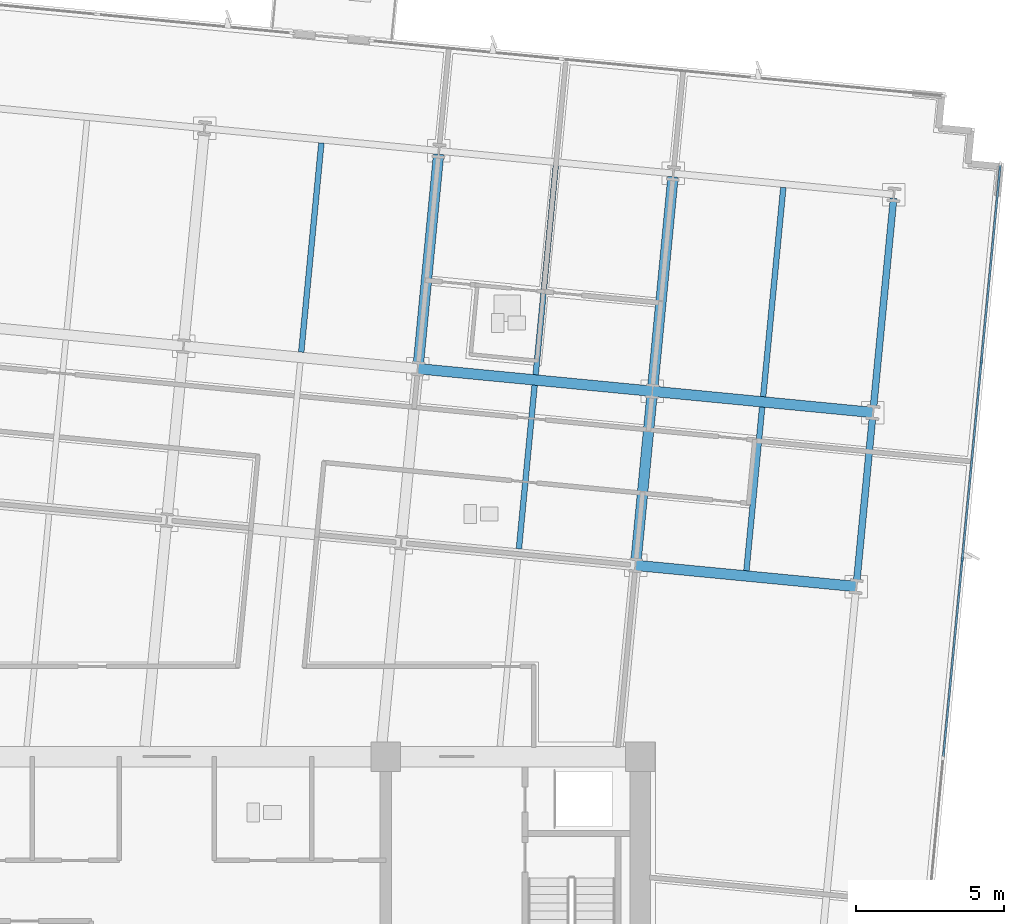
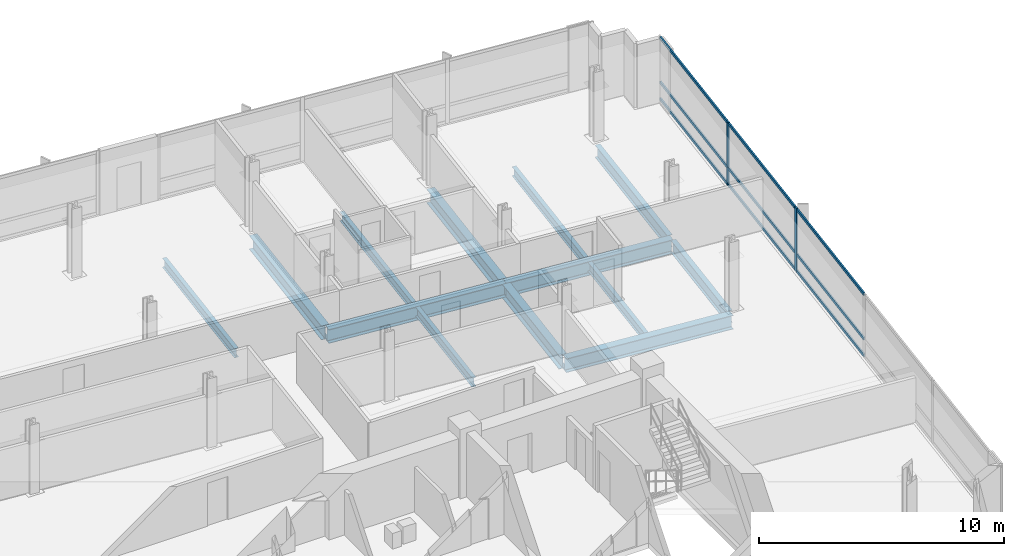
# One storey, part 6 of 16: 13 beams, 11 members, 1 element without a shape of its own.
"""IFC4 building model written with IfcOpenShell, lengths in metres."""

from ifc_helpers import new_model, si_unit, direction, frame, origin, origin_2d, place, context, subcontext, project, spatial, rectangle, i_section, extrude, material, material_profile, profile_set, type_object, element, aggregate, save


model = new_model("IFC4")

# Units and contexts
model_context = context("Model", 3, precision=1e-05, world=origin(), true_north=direction((0.0, 1.0)))
body_context = subcontext(model_context, "Body", "Model", "MODEL_VIEW")
ifc_project = project(units=[si_unit("LENGTHUNIT", "METRE"), si_unit("AREAUNIT", "SQUARE_METRE"), si_unit("VOLUMEUNIT", "CUBIC_METRE"), si_unit("PLANEANGLEUNIT", "RADIAN"), si_unit("MASSUNIT", "GRAM", prefix="KILO")], contexts=[model_context])

# Site, building, storey
site_placement = place(None, origin())
site = spatial("IfcSite", under=ifc_project, at=site_placement, CompositionType="ELEMENT")
building_placement = place(site_placement, origin())
building = spatial("IfcBuilding", under=site, at=building_placement, Name="Solmavex Isthmus Hotel", CompositionType="ELEMENT")
storey_placement = place(building_placement, frame((0.0, 0.0, 166.949951171875)))
storey = spatial("IfcBuildingStorey", under=building, at=storey_placement, Name="L45", CompositionType="ELEMENT", Elevation=166.949951171875)

# Beams
ifc_material_1 = material(Name="Steel ASTM A992 Grade 50", Category="steel")
ifc_material_profile_1 = material_profile(ifc_material_1, i_section(OverallWidth=0.354736328125, OverallDepth=0.695556640625, WebThickness=0.015380859375, FlangeThickness=0.02490234375, FilletRadius=0.017822265625, at=origin_2d()), Name="W27X146")
ifc_profile_set_1 = profile_set([ifc_material_profile_1], Name="Steel ASTM A992 Grade 50")
beam_type_1 = type_object("IfcBeamType", Name="BM-BG-W27X146", PredefinedType="BEAM", material=ifc_profile_set_1)
beam_1_placement = place(storey_placement, frame((15.840087890625, 3.96533203125, -0.607666015625), z_axis=(0.995394980007, -0.095858404835, 0.0), x_axis=(0.095858404835, 0.995394980007, 0.0)))
element("IfcBeam", 1, at=beam_1_placement, inside=storey, type_object=beam_type_1, Name="Floor Girder L45-UG08", PredefinedType="BEAM", context=body_context, shape_type="SweptSolid", body=[
    extrude(i_section(OverallWidth=0.354736328125, OverallDepth=0.695556640625, WebThickness=0.015380859375, FlangeThickness=0.02490234375, FilletRadius=0.017822265625, at=origin_2d()), origin(), (0.0, 0.0, 1.0), 7.48779296875),
])
beam_2_placement = place(storey_placement, frame((8.48681640625, 10.608642578125, -0.607666015625), z_axis=(0.995394512348, -0.095863260885, 0.0), x_axis=(0.095863260885, 0.995394512348, 0.0)))
element("IfcBeam", 2, at=beam_2_placement, inside=storey, type_object=beam_type_1, Name="Floor Girder L45-UG13", PredefinedType="BEAM", context=body_context, shape_type="SweptSolid", body=[
    extrude(i_section(OverallWidth=0.354736328125, OverallDepth=0.695556640625, WebThickness=0.015380859375, FlangeThickness=0.02490234375, FilletRadius=0.017822265625, at=origin_2d()), origin(), (0.0, 0.0, 1.0), 7.9560546875),
])
beam_3_placement = place(storey_placement, frame((16.40625, 9.845947265625, -0.607666015625), z_axis=(0.995398389938, -0.095822989454, 0.0), x_axis=(0.095822989454, 0.995398389938, 0.0)))
element("IfcBeam", 3, at=beam_3_placement, inside=storey, type_object=beam_type_1, Name="Floor Girder L45-UG14", PredefinedType="BEAM", context=body_context, shape_type="SweptSolid", body=[
    extrude(i_section(OverallWidth=0.354736328125, OverallDepth=0.695556640625, WebThickness=0.015380859375, FlangeThickness=0.02490234375, FilletRadius=0.017822265625, at=origin_2d()), origin(), (0.0, 0.0, 1.0), 7.488037109375),
])
beam_4_placement = place(storey_placement, frame((8.50390625, 10.78515625, -0.607666015625), z_axis=(0.095842805175, 0.99539648216, 0.0), x_axis=(-0.99539648216, 0.095842805175, 0.0)))
element("IfcBeam", 4, at=beam_4_placement, inside=storey, type_object=beam_type_1, Name="Floor Beam L45-VG35", PredefinedType="BEAM", context=body_context, shape_type="SweptSolid", body=[
    extrude(i_section(OverallWidth=0.354736328125, OverallDepth=0.695556640625, WebThickness=0.015380859375, FlangeThickness=0.02490234375, FilletRadius=0.017822265625, at=origin_2d()), origin(), (0.0, 0.0, 1.0), 7.099365234375),
])
beam_5_placement = place(storey_placement, frame((15.85693359375, 4.141845703125, -0.607666015625), z_axis=(0.095842252862, 0.99539653534, 0.0), x_axis=(-0.99539653534, 0.095842252862, 0.0)))
element("IfcBeam", 5, at=beam_5_placement, inside=storey, type_object=beam_type_1, Name="Floor Beam L45-VG37", PredefinedType="BEAM", context=body_context, shape_type="SweptSolid", body=[
    extrude(i_section(OverallWidth=0.354736328125, OverallDepth=0.695556640625, WebThickness=0.015380859375, FlangeThickness=0.02490234375, FilletRadius=0.017822265625, at=origin_2d()), origin(), (0.0, 0.0, 1.0), 5.55322265625),
])
beam_6_placement = place(storey_placement, frame((16.42333984375, 10.022705078125, -0.607666015625), z_axis=(0.095842805175, 0.99539648216, 0.0), x_axis=(-0.99539648216, 0.095842805175, 0.0)))
element("IfcBeam", 6, at=beam_6_placement, inside=storey, type_object=beam_type_1, Name="Floor Beam L45-VG38", PredefinedType="BEAM", context=body_context, shape_type="SweptSolid", body=[
    extrude(i_section(OverallWidth=0.354736328125, OverallDepth=0.695556640625, WebThickness=0.015380859375, FlangeThickness=0.02490234375, FilletRadius=0.017822265625, at=origin_2d()), origin(), (0.0, 0.0, 1.0), 7.099365234375),
])
ifc_material_profile_2 = material_profile(ifc_material_1, i_section(OverallWidth=0.1904296875, OverallDepth=0.456787109375, WebThickness=0.009033203125, FlangeThickness=0.014404296875, FilletRadius=0.0126953125, at=origin_2d()), Name="W18X50")
ifc_profile_set_2 = profile_set([ifc_material_profile_2], Name="Steel ASTM A992 Grade 50")
beam_type_2 = type_object("IfcBeamType", Name="BM-BJ-W18X50", PredefinedType="JOIST", material=ifc_profile_set_2)
beam_7_placement = place(storey_placement, frame((4.544189453125, 11.16650390625, -0.48828125), z_axis=(0.095842805175, 0.99539648216, 0.0), x_axis=(-0.99539648216, 0.095842805175, 0.0)))
element("IfcBeam", 7, at=beam_7_placement, inside=storey, type_object=beam_type_2, Name="Secondary Floor Joist L45-J12", PredefinedType="JOIST", context=body_context, shape_type="SweptSolid", body=[
    extrude(i_section(OverallWidth=0.1904296875, OverallDepth=0.456787109375, WebThickness=0.009033203125, FlangeThickness=0.014404296875, FilletRadius=0.0126953125, at=origin_2d()), origin(), (0.0, 0.0, 1.0), 7.099365234375),
])
beam_8_placement = place(storey_placement, frame((11.8974609375, 4.523193359375, -0.48828125), z_axis=(0.095842252862, 0.99539653534, 0.0), x_axis=(-0.99539653534, 0.095842252862, 0.0)))
element("IfcBeam", 8, at=beam_8_placement, inside=storey, type_object=beam_type_2, Name="Secondary Floor Joist L45-J14", PredefinedType="JOIST", context=body_context, shape_type="SweptSolid", body=[
    extrude(i_section(OverallWidth=0.1904296875, OverallDepth=0.456787109375, WebThickness=0.009033203125, FlangeThickness=0.014404296875, FilletRadius=0.0126953125, at=origin_2d()), origin(), (0.0, 0.0, 1.0), 5.55322265625),
])
beam_9_placement = place(storey_placement, frame((12.463623046875, 10.40380859375, -0.48828125), z_axis=(0.095839524498, 0.995396798038, 0.0), x_axis=(-0.995396798038, 0.095839524498, 0.0)))
element("IfcBeam", 9, at=beam_9_placement, inside=storey, type_object=beam_type_2, Name="Secondary Floor Joist L45-J15", PredefinedType="JOIST", context=body_context, shape_type="SweptSolid", body=[
    extrude(i_section(OverallWidth=0.1904296875, OverallDepth=0.456787109375, WebThickness=0.009033203125, FlangeThickness=0.014404296875, FilletRadius=0.0126953125, at=origin_2d()), origin(), (0.0, 0.0, 1.0), 7.099609375),
])
beam_10_placement = place(storey_placement, frame((19.583740234375, 3.782958984375, -0.48828125), z_axis=(0.095842252862, 0.99539653534, 0.0), x_axis=(-0.99539653534, 0.095842252862, 0.0)))
element("IfcBeam", 10, at=beam_10_placement, inside=storey, type_object=beam_type_2, Name="Secondary Floor Joist L45-J16", PredefinedType="JOIST", context=body_context, shape_type="SweptSolid", body=[
    extrude(i_section(OverallWidth=0.1904296875, OverallDepth=0.456787109375, WebThickness=0.009033203125, FlangeThickness=0.014404296875, FilletRadius=0.0126953125, at=origin_2d()), origin(), (0.0, 0.0, 1.0), 5.55322265625),
])
beam_11_placement = place(storey_placement, frame((20.150146484375, 9.663818359375, -0.48828125), z_axis=(0.095842805175, 0.99539648216, 0.0), x_axis=(-0.99539648216, 0.095842805175, 0.0)))
element("IfcBeam", 11, at=beam_11_placement, inside=storey, type_object=beam_type_2, Name="Secondary Floor Joist L45-J17", PredefinedType="JOIST", context=body_context, shape_type="SweptSolid", body=[
    extrude(i_section(OverallWidth=0.1904296875, OverallDepth=0.456787109375, WebThickness=0.009033203125, FlangeThickness=0.014404296875, FilletRadius=0.0126953125, at=origin_2d()), origin(), (0.0, 0.0, 1.0), 7.099365234375),
])
ifc_material_profile_3 = material_profile(ifc_material_1, i_section(OverallWidth=0.230224609375, OverallDepth=0.617431640625, WebThickness=0.01318359375, FlangeThickness=0.022216796875, FilletRadius=0.01513671875, at=origin_2d()), Name="W24X94")
ifc_profile_set_3 = profile_set([ifc_material_profile_3], Name="Steel ASTM A992 Grade 50")
beam_type_3 = type_object("IfcBeamType", Name="BM-SP-W24X94", PredefinedType="SPANDREL", material=ifc_profile_set_3)
beam_12_placement = place(storey_placement, frame((23.310546875, 3.424072265625, -0.568603515625), z_axis=(0.095842252862, 0.99539653534, 0.0), x_axis=(-0.99539653534, 0.095842252862, 0.0)))
element("IfcBeam", 12, at=beam_12_placement, inside=storey, type_object=beam_type_3, Name="Floor Beam L45-VG40", PredefinedType="SPANDREL", context=body_context, shape_type="SweptSolid", body=[
    extrude(i_section(OverallWidth=0.230224609375, OverallDepth=0.617431640625, WebThickness=0.01318359375, FlangeThickness=0.022216796875, FilletRadius=0.01513671875, at=origin_2d()), origin(), (0.0, 0.0, 1.0), 5.55322265625),
])
beam_13_placement = place(storey_placement, frame((23.876708984375, 9.304931640625, -0.568603515625), z_axis=(0.09587687835, 0.9953932008, 0.0), x_axis=(-0.9953932008, 0.09587687835, 0.0)))
element("IfcBeam", 13, at=beam_13_placement, inside=storey, type_object=beam_type_3, Name="Floor Beam L45-VG41", PredefinedType="SPANDREL", context=body_context, shape_type="SweptSolid", body=[
    extrude(i_section(OverallWidth=0.230224609375, OverallDepth=0.617431640625, WebThickness=0.01318359375, FlangeThickness=0.022216796875, FilletRadius=0.01513671875, at=origin_2d()), origin(), (0.0, 0.0, 1.0), 7.099365234375),
])

# Curtain wall, members
ifc_material_2 = material(Name="Aluminium alloy 6063-T6", Category="aluminium")
curtain_wall_type = type_object("IfcCurtainWallType", Name="CW-SYS-03", PredefinedType="NOTDEFINED", material=ifc_material_2)
curtain_wall_placement = place(storey_placement, origin())
curtain_wall = element("IfcCurtainWall", 14, at=curtain_wall_placement, inside=storey, type_object=curtain_wall_type, Name="Stick Curtain Wall CWL-L45-E1", PredefinedType="NOTDEFINED")
ifc_material_profile_4 = material_profile(ifc_material_2, rectangle(XDim=0.070068359375, YDim=0.179931640625, at=origin_2d()), Name="CWM-70X180")
ifc_profile_set_4 = profile_set([ifc_material_profile_4], Name="Aluminium alloy 6063-T6")
member_type_1 = type_object("IfcMemberType", Name="CW-SYS-03-MUL", PredefinedType="MULLION", material=ifc_profile_set_4)
member_1_placement = place(storey_placement, frame((26.878173828125, 4.168212890625, 0.0), z_axis=(0.0, 0.0, 1.0), x_axis=(-0.995396190038, 0.09584583902, 0.0)))
member_1 = element("IfcMember", 15, at=member_1_placement, type_object=member_type_1, Name="CW-03 mullion 4", PredefinedType="MULLION", context=body_context, shape_type="SweptSolid", body=[
    extrude(rectangle(XDim=0.070068359375, YDim=0.179931640625, at=origin_2d()), origin(), (0.0, 0.0, 1.0), 3.18994140625),
])
member_2_placement = place(storey_placement, frame((27.5224609375, 10.857177734375, 0.0), z_axis=(0.0, 0.0, 1.0), x_axis=(-0.995396190038, 0.09584583902, 0.0)))
member_2 = element("IfcMember", 16, at=member_2_placement, type_object=member_type_1, Name="CW-03 mullion 5", PredefinedType="MULLION", context=body_context, shape_type="SweptSolid", body=[
    extrude(rectangle(XDim=0.070068359375, YDim=0.179931640625, at=origin_2d()), origin(), (0.0, 0.0, 1.0), 3.18994140625),
])
ifc_material_profile_5 = material_profile(ifc_material_2, rectangle(XDim=0.070068359375, YDim=0.139892578125, at=origin_2d()), Name="CWT-70X140")
ifc_profile_set_5 = profile_set([ifc_material_profile_5], Name="Aluminium alloy 6063-T6")
member_type_2 = type_object("IfcMemberType", Name="CW-SYS-03-TRN", PredefinedType="USERDEFINED", material=ifc_profile_set_5)
member_3_placement = place(storey_placement, frame((26.237548828125, -2.486083984375, 0.070068359375), z_axis=(0.095857212138, 0.995395094865, 0.0), x_axis=(-0.995395094865, 0.095857212138, 0.0)))
member_3 = element("IfcMember", 17, at=member_3_placement, type_object=member_type_2, Name="CW-03 transom 3.1", ObjectType="TRANSOM", PredefinedType="USERDEFINED", context=body_context, shape_type="SweptSolid", body=[
    extrude(rectangle(XDim=0.070068359375, YDim=0.139892578125, at=origin_2d()), origin(), (0.0, 0.0, 1.0), 6.64990234375),
])
member_4_placement = place(storey_placement, frame((26.237548828125, -2.486083984375, 0.900146484375), z_axis=(0.095857212138, 0.995395094865, 0.0), x_axis=(-0.995395094865, 0.095857212138, 0.0)))
member_4 = element("IfcMember", 18, at=member_4_placement, type_object=member_type_2, Name="CW-03 transom 3.2", ObjectType="TRANSOM", PredefinedType="USERDEFINED", context=body_context, shape_type="SweptSolid", body=[
    extrude(rectangle(XDim=0.070068359375, YDim=0.139892578125, at=origin_2d()), origin(), (0.0, 0.0, 1.0), 6.64990234375),
])
member_5_placement = place(storey_placement, frame((26.237548828125, -2.486083984375, 3.1201171875), z_axis=(0.095857212138, 0.995395094865, 0.0), x_axis=(-0.995395094865, 0.095857212138, 0.0)))
member_5 = element("IfcMember", 19, at=member_5_placement, type_object=member_type_2, Name="CW-03 transom 3.3", ObjectType="TRANSOM", PredefinedType="USERDEFINED", context=body_context, shape_type="SweptSolid", body=[
    extrude(rectangle(XDim=0.070068359375, YDim=0.139892578125, at=origin_2d()), origin(), (0.0, 0.0, 1.0), 6.64990234375),
])
member_6_placement = place(storey_placement, frame((26.881591796875, 4.203125, 0.070068359375), z_axis=(0.095857212138, 0.995395094865, 0.0), x_axis=(-0.995395094865, 0.095857212138, 0.0)))
member_6 = element("IfcMember", 20, at=member_6_placement, type_object=member_type_2, Name="CW-03 transom 4.1", ObjectType="TRANSOM", PredefinedType="USERDEFINED", context=body_context, shape_type="SweptSolid", body=[
    extrude(rectangle(XDim=0.070068359375, YDim=0.139892578125, at=origin_2d()), origin(), (0.0, 0.0, 1.0), 6.64990234375),
])
member_7_placement = place(storey_placement, frame((26.881591796875, 4.203125, 0.900146484375), z_axis=(0.095857212138, 0.995395094865, 0.0), x_axis=(-0.995395094865, 0.095857212138, 0.0)))
member_7 = element("IfcMember", 21, at=member_7_placement, type_object=member_type_2, Name="CW-03 transom 4.2", ObjectType="TRANSOM", PredefinedType="USERDEFINED", context=body_context, shape_type="SweptSolid", body=[
    extrude(rectangle(XDim=0.070068359375, YDim=0.139892578125, at=origin_2d()), origin(), (0.0, 0.0, 1.0), 6.64990234375),
])
member_8_placement = place(storey_placement, frame((26.881591796875, 4.203125, 3.1201171875), z_axis=(0.095857212138, 0.995395094865, 0.0), x_axis=(-0.995395094865, 0.095857212138, 0.0)))
member_8 = element("IfcMember", 22, at=member_8_placement, type_object=member_type_2, Name="CW-03 transom 4.3", ObjectType="TRANSOM", PredefinedType="USERDEFINED", context=body_context, shape_type="SweptSolid", body=[
    extrude(rectangle(XDim=0.070068359375, YDim=0.139892578125, at=origin_2d()), origin(), (0.0, 0.0, 1.0), 6.64990234375),
])
member_9_placement = place(storey_placement, frame((27.525634765625, 10.89208984375, 0.070068359375), z_axis=(0.095848837806, 0.995395901283, 0.0), x_axis=(-0.995395901283, 0.095848837806, 0.0)))
member_9 = element("IfcMember", 23, at=member_9_placement, type_object=member_type_2, Name="CW-03 transom 5.1", ObjectType="TRANSOM", PredefinedType="USERDEFINED", context=body_context, shape_type="SweptSolid", body=[
    extrude(rectangle(XDim=0.070068359375, YDim=0.139892578125, at=origin_2d()), origin(), (0.0, 0.0, 1.0), 6.614990234375),
])
member_10_placement = place(storey_placement, frame((27.525634765625, 10.89208984375, 0.900146484375), z_axis=(0.095848837806, 0.995395901283, 0.0), x_axis=(-0.995395901283, 0.095848837806, 0.0)))
member_10 = element("IfcMember", 24, at=member_10_placement, type_object=member_type_2, Name="CW-03 transom 5.2", ObjectType="TRANSOM", PredefinedType="USERDEFINED", context=body_context, shape_type="SweptSolid", body=[
    extrude(rectangle(XDim=0.070068359375, YDim=0.139892578125, at=origin_2d()), origin(), (0.0, 0.0, 1.0), 6.614990234375),
])
member_11_placement = place(storey_placement, frame((27.525634765625, 10.89208984375, 3.1201171875), z_axis=(0.095848837806, 0.995395901283, 0.0), x_axis=(-0.995395901283, 0.095848837806, 0.0)))
member_11 = element("IfcMember", 25, at=member_11_placement, type_object=member_type_2, Name="CW-03 transom 5.3", ObjectType="TRANSOM", PredefinedType="USERDEFINED", context=body_context, shape_type="SweptSolid", body=[
    extrude(rectangle(XDim=0.070068359375, YDim=0.139892578125, at=origin_2d()), origin(), (0.0, 0.0, 1.0), 6.614990234375),
])
aggregate(curtain_wall, [member_1, member_2, member_3, member_4, member_5, member_6, member_7, member_8, member_9, member_10, member_11])

save(model, "model.ifc")
